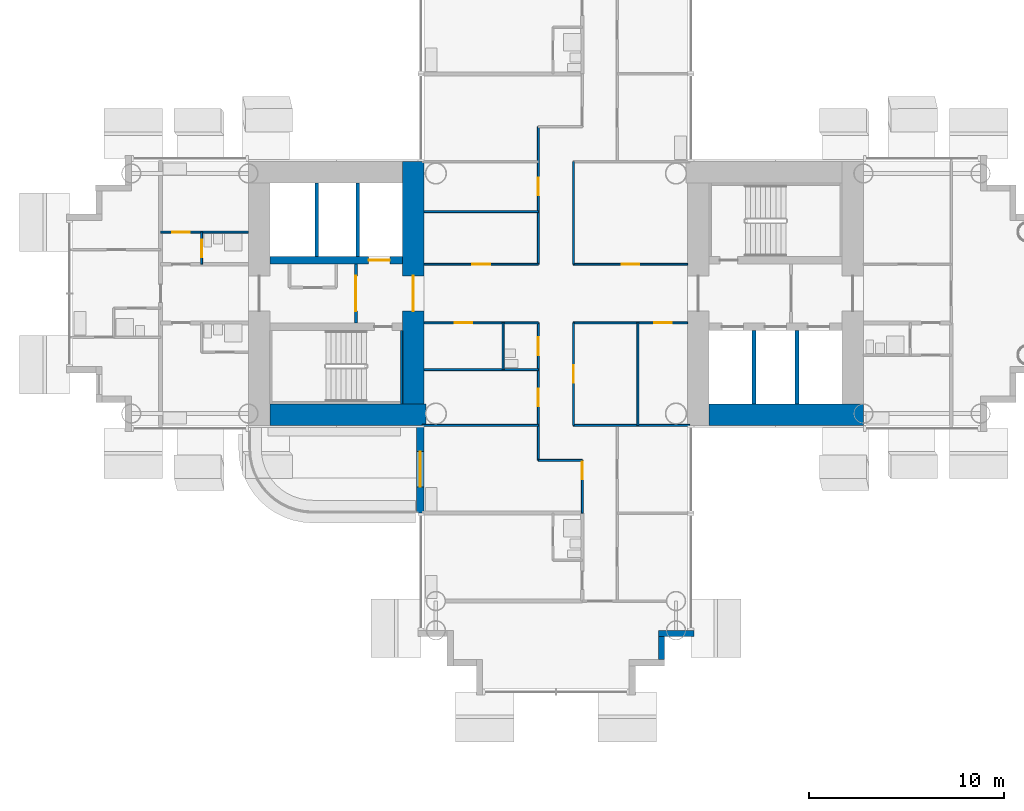
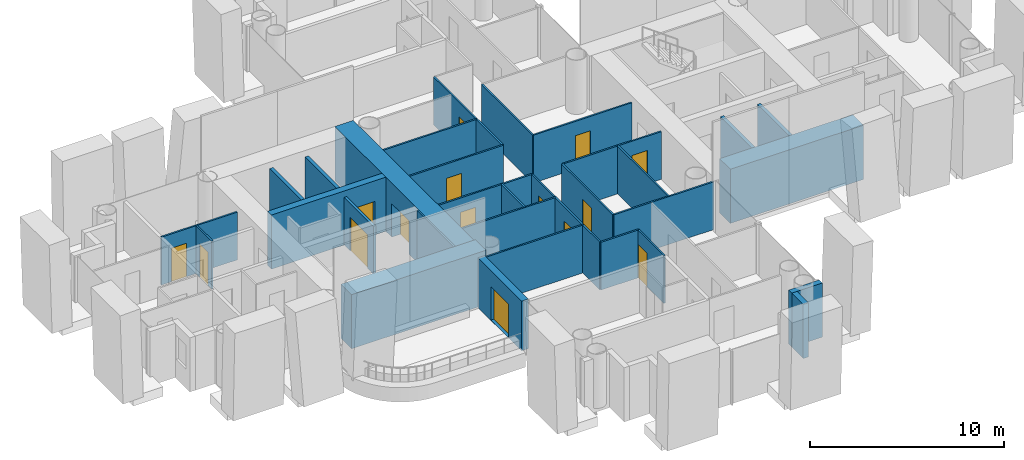
# One storey, part 11 of 25: 31 walls, 15 doors, 15 openings.
"""IFC4 building model written with IfcOpenShell, lengths in metres."""

from ifc_helpers import new_model, si_unit, direction, frame, frame_2d, origin, place, context, subcontext, project, spatial, rectangle, extrude, material, layer, layer_set, type_object, element, fill, save


model = new_model("IFC4")

# Units and contexts
model_context = context("Model", 3, precision=1e-05, world=origin(), true_north=direction((0.0, 1.0)))
body_context = subcontext(model_context, "Body", "Model", "MODEL_VIEW")
ifc_project = project(units=[si_unit("LENGTHUNIT", "METRE"), si_unit("AREAUNIT", "SQUARE_METRE"), si_unit("VOLUMEUNIT", "CUBIC_METRE"), si_unit("PLANEANGLEUNIT", "RADIAN"), si_unit("MASSUNIT", "GRAM", prefix="KILO")], contexts=[model_context])

# Site, building, storey
site_placement = place(None, origin())
site = spatial("IfcSite", under=ifc_project, at=site_placement, CompositionType="ELEMENT")
building_placement = place(site_placement, origin())
building = spatial("IfcBuilding", under=site, at=building_placement, Name="Ipe Terrace Towers", CompositionType="ELEMENT")
storey_placement = place(building_placement, frame((0.0, 0.0, 65.300048828125)))
storey = spatial("IfcBuildingStorey", under=building, at=storey_placement, Name="L17", CompositionType="ELEMENT", Elevation=65.300048828125)

# Wall, opening, door
ifc_material_1 = material(Name="Concrete C40/50 with buff precast cladding", Category="concrete")
ifc_layer_1 = layer(ifc_material_1, 0.39990234375)
ifc_layer_set_1 = layer_set([ifc_layer_1], Name="BALCONY BAY WALL 400")
wall_type_1 = type_object("IfcWallType", Name="BALCONY BAY WALL 400", PredefinedType="STANDARD", material=ifc_layer_set_1)
wall_1_placement = place(storey_placement, frame((-42.949951171875, -6.75, -0.02001953125), z_axis=(0.0, 0.0, 1.0), x_axis=(0.0, -1.0, 0.0)))
wall_1 = element("IfcWall", 1, at=wall_1_placement, inside=storey, type_object=wall_type_1, Name="T1-W-L17-06a wall", PredefinedType="STANDARD", context=body_context, shape_type="SweptSolid", body=[
    extrude(rectangle(XDim=4.5, YDim=0.39990234375, at=frame_2d((2.25, 0.0))), origin(), (0.0, 0.0, 1.0), 3.119873046875),
])
opening_1_placement = place(wall_1_placement, frame((1.35009765625, 0.0, 0.02001953125)))
opening_1 = element("IfcOpeningElement", 2, at=opening_1_placement, cuts=wall_1, Name="Opening T1-D-L17-06", PredefinedType="OPENING", context=body_context, shape_type="SweptSolid", body=[
    extrude(rectangle(XDim=1.800048828125, YDim=2.10009765625, at=frame_2d((0.89990234375, 1.050048828125))), frame((0.0, 0.2099609375, 0.0), z_axis=(0.0, -1.0, 0.0), x_axis=(1.0, 0.0, 0.0)), (0.0, 0.0, 1.0), 0.419921875),
])
ifc_material_2 = material(Name="Aluminium alloy 6063-T6 framed glazed door", Category="aluminium")
door_type_1 = type_object("IfcDoorType", Name="BALCONY DOOR 1800 x 2100 LEFT", OperationType="SINGLE_SWING_LEFT", PredefinedType="DOOR", material=ifc_material_2)
door_1_placement = place(opening_1_placement, origin())
door_1 = element("IfcDoor", 3, at=door_1_placement, inside=storey, type_object=door_type_1, Name="DB1 door", OperationType="SINGLE_SWING_LEFT", OverallHeight=2.10009765625, OverallWidth=1.800048828125, PredefinedType="DOOR", context=body_context, shape_type="SweptSolid", body=[
    extrude(rectangle(XDim=1.800048828125, YDim=2.10009765625, at=frame_2d((0.89990234375, 1.050048828125))), frame((0.0, 0.02490234375, 0.0), z_axis=(0.0, -1.0, 0.0), x_axis=(1.0, 0.0, 0.0)), (0.0, 0.0, 1.0), 0.050048828125),
])
fill(opening_1, door_1)

# Walls
ifc_material_3 = material(Name="Concrete C40/50 with buff precast cladding", Category="concrete")
ifc_layer_2 = layer(ifc_material_3, 0.320068359375)
ifc_layer_set_2 = layer_set([ifc_layer_2], Name="BUFF CLADDING WALL 320")
wall_type_2 = type_object("IfcWallType", Name="BUFF CLADDING WALL 320", PredefinedType="STANDARD", material=ifc_layer_set_2)
wall_2_placement = place(storey_placement, frame((-30.590087890625, -18.75, -0.300048828125), z_axis=(0.0, 0.0, 1.0), x_axis=(0.0, 1.0, 0.0)))
element("IfcWall", 4, at=wall_2_placement, inside=storey, type_object=wall_type_2, Name="T1-W-L17-15a wall", PredefinedType="STANDARD", context=body_context, shape_type="SweptSolid", body=[
    extrude(rectangle(XDim=1.179931640625, YDim=0.320068359375, at=frame_2d((0.58984375, 0.0))), origin(), (0.0, 0.0, 1.0), 3.39990234375),
])
wall_3_placement = place(storey_placement, frame((-30.75, -17.409912109375, -0.300048828125), z_axis=(0.0, 0.0, 1.0), x_axis=(1.0, 0.0, 0.0)))
element("IfcWall", 5, at=wall_3_placement, inside=storey, type_object=wall_type_2, Name="T1-W-L17-16a wall", PredefinedType="STANDARD", context=body_context, shape_type="SweptSolid", body=[
    extrude(rectangle(XDim=1.820068359375, YDim=0.320068359375, at=frame_2d((0.91015625, 0.0))), origin(), (0.0, 0.0, 1.0), 3.39990234375),
])

# Wall, opening, door
ifc_material_4 = material(Name="Gypsum board partition", Category="plasterboard")
ifc_layer_3 = layer(ifc_material_4, 0.10009765625)
ifc_layer_set_3 = layer_set([ifc_layer_3], Name="Gypsum board partition 100 mm")
wall_type_3 = type_object("IfcWallType", Name="Gypsum board partition 100 mm", PredefinedType="PARTITIONING", material=ifc_layer_set_3)
wall_4_placement = place(storey_placement, frame((-54.14990234375, 1.5, 0.0), z_axis=(0.0, 0.0, 1.0), x_axis=(0.0, 1.0, 0.0)))
wall_4 = element("IfcWall", 6, at=wall_4_placement, inside=storey, type_object=wall_type_3, Name="Gypsum board partition T1 L17 W04", PredefinedType="PARTITIONING", context=body_context, shape_type="SweptSolid", body=[
    extrude(rectangle(XDim=1.64990234375, YDim=0.10009765625, at=frame_2d((0.824951171875, 0.0))), origin(), (0.0, 0.0, 1.0), 3.0),
])
opening_2_placement = place(wall_4_placement, frame((0.35009765625, 0.0, 0.0)))
opening_2 = element("IfcOpeningElement", 7, at=opening_2_placement, cuts=wall_4, Name="Opening T1-Z1E-30", PredefinedType="OPENING", context=body_context, shape_type="SweptSolid", body=[
    extrude(rectangle(XDim=0.89990234375, YDim=2.10009765625, at=frame_2d((0.449951171875, 1.050048828125))), frame((0.0, 0.06005859375, 0.0), z_axis=(0.0, -1.0, 0.0), x_axis=(1.0, 0.0, 0.0)), (0.0, 0.0, 1.0), 0.1201171875),
])
ifc_material_5 = material(Name="Timber door leaf", Category="wood")
door_type_2 = type_object("IfcDoorType", Name="Bathroom door 900 x 2100", OperationType="NOTDEFINED", PredefinedType="DOOR", material=ifc_material_5)
door_2_placement = place(opening_2_placement, origin())
door_2 = element("IfcDoor", 8, at=door_2_placement, inside=storey, type_object=door_type_2, Name="Bathroom door T1-Z1E-30", OperationType="SINGLE_SWING_LEFT", OverallHeight=2.10009765625, OverallWidth=0.89990234375, PredefinedType="DOOR", context=body_context, shape_type="SweptSolid", body=[
    extrude(rectangle(XDim=0.89990234375, YDim=2.10009765625, at=frame_2d((0.449951171875, 1.050048828125))), frame((0.0, 0.02490234375, 0.0), z_axis=(0.0, -1.0, 0.0), x_axis=(1.0, 0.0, 0.0)), (0.0, 0.0, 1.0), 0.050048828125),
])
fill(opening_2, door_2)

# Wall
wall_5_placement = place(storey_placement, frame((-38.699951171875, -3.89990234375, 0.0), z_axis=(0.0, 0.0, 1.0), x_axis=(0.0, 1.0, 0.0)))
element("IfcWall", 9, at=wall_5_placement, inside=storey, type_object=wall_type_3, Name="Gypsum board partition T1 L17 W05", PredefinedType="PARTITIONING", context=body_context, shape_type="SweptSolid", body=[
    extrude(rectangle(XDim=2.39990234375, YDim=0.10009765625, at=frame_2d((1.199951171875, 0.0))), origin(), (0.0, 0.0, 1.0), 3.0),
])

# Wall, openings, doors
wall_6_placement = place(storey_placement, frame((-36.89990234375, -8.550048828125, 0.0), z_axis=(0.0, 0.0, 1.0), x_axis=(0.0, 1.0, 0.0)))
wall_6 = element("IfcWall", 10, at=wall_6_placement, inside=storey, type_object=wall_type_3, Name="Gypsum board partition T1 L17 W06", PredefinedType="PARTITIONING", context=body_context, shape_type="SweptSolid", body=[
    extrude(rectangle(XDim=7.050048828125, YDim=0.10009765625, at=frame_2d((3.52490234375, 0.0))), origin(), (0.0, 0.0, 1.0), 3.0),
])
opening_3_placement = place(wall_6_placement, frame((5.39990234375, 0.0, 0.0)))
opening_3 = element("IfcOpeningElement", 11, at=opening_3_placement, cuts=wall_6, Name="Opening T1-Z1E-01", PredefinedType="OPENING", context=body_context, shape_type="SweptSolid", body=[
    extrude(rectangle(XDim=0.89990234375, YDim=2.10009765625, at=frame_2d((0.449951171875, 1.050048828125))), frame((0.0, 0.06005859375, 0.0), z_axis=(0.0, -1.0, 0.0), x_axis=(1.0, 0.0, 0.0)), (0.0, 0.0, 1.0), 0.1201171875),
])
opening_4_placement = place(wall_6_placement, frame((2.77490234375, 0.0, 0.0)))
opening_4 = element("IfcOpeningElement", 12, at=opening_4_placement, cuts=wall_6, Name="Opening T1-Z1E-06", PredefinedType="OPENING", context=body_context, shape_type="SweptSolid", body=[
    extrude(rectangle(XDim=0.89990234375, YDim=2.10009765625, at=frame_2d((0.449951171875, 1.050048828125))), frame((0.0, 0.06005859375, 0.0), z_axis=(0.0, -1.0, 0.0), x_axis=(1.0, 0.0, 0.0)), (0.0, 0.0, 1.0), 0.1201171875),
])
door_3_placement = place(opening_3_placement, origin())
door_3 = element("IfcDoor", 13, at=door_3_placement, inside=storey, type_object=door_type_2, Name="Bathroom door T1-Z1E-01", OperationType="SINGLE_SWING_LEFT", OverallHeight=2.10009765625, OverallWidth=0.89990234375, PredefinedType="DOOR", context=body_context, shape_type="SweptSolid", body=[
    extrude(rectangle(XDim=0.89990234375, YDim=2.10009765625, at=frame_2d((0.449951171875, 1.050048828125))), frame((0.0, 0.02490234375, 0.0), z_axis=(0.0, -1.0, 0.0), x_axis=(1.0, 0.0, 0.0)), (0.0, 0.0, 1.0), 0.050048828125),
])
fill(opening_3, door_3)
ifc_material_6 = material(Name="Timber door leaf", Category="wood")
door_type_3 = type_object("IfcDoorType", Name="Lounge door 900 x 2100", OperationType="NOTDEFINED", PredefinedType="DOOR", material=ifc_material_6)
door_4_placement = place(opening_4_placement, origin())
door_4 = element("IfcDoor", 14, at=door_4_placement, inside=storey, type_object=door_type_3, Name="Lounge door T1-Z1E-06", OperationType="SINGLE_SWING_RIGHT", OverallHeight=2.10009765625, OverallWidth=0.89990234375, PredefinedType="DOOR", context=body_context, shape_type="SweptSolid", body=[
    extrude(rectangle(XDim=0.89990234375, YDim=2.10009765625, at=frame_2d((0.449951171875, 1.050048828125))), frame((0.0, 0.02490234375, 0.0), z_axis=(0.0, -1.0, 0.0), x_axis=(1.0, 0.0, 0.0)), (0.0, 0.0, 1.0), 0.050048828125),
])
fill(opening_4, door_4)

# Wall, opening, door
wall_7_placement = place(storey_placement, frame((-36.89990234375, 1.5, 0.0), z_axis=(0.0, 0.0, 1.0), x_axis=(0.0, 1.0, 0.0)))
wall_7 = element("IfcWall", 15, at=wall_7_placement, inside=storey, type_object=wall_type_3, Name="Gypsum board partition T1 L17 W07", PredefinedType="PARTITIONING", context=body_context, shape_type="SweptSolid", body=[
    extrude(rectangle(XDim=7.050048828125, YDim=0.10009765625, at=frame_2d((3.52490234375, 0.0))), origin(), (0.0, 0.0, 1.0), 3.0),
])
opening_5_placement = place(wall_7_placement, frame((3.52490234375, 0.0, 0.0)))
opening_5 = element("IfcOpeningElement", 16, at=opening_5_placement, cuts=wall_7, Name="Opening T1-Z1E-04", PredefinedType="OPENING", context=body_context, shape_type="SweptSolid", body=[
    extrude(rectangle(XDim=0.89990234375, YDim=2.10009765625, at=frame_2d((0.449951171875, 1.050048828125))), frame((0.0, 0.06005859375, 0.0), z_axis=(0.0, -1.0, 0.0), x_axis=(1.0, 0.0, 0.0)), (0.0, 0.0, 1.0), 0.1201171875),
])
door_5_placement = place(opening_5_placement, origin())
door_5 = element("IfcDoor", 17, at=door_5_placement, inside=storey, type_object=door_type_3, Name="Lounge door T1-Z1E-04", OperationType="SINGLE_SWING_LEFT", OverallHeight=2.10009765625, OverallWidth=0.89990234375, PredefinedType="DOOR", context=body_context, shape_type="SweptSolid", body=[
    extrude(rectangle(XDim=0.89990234375, YDim=2.10009765625, at=frame_2d((0.449951171875, 1.050048828125))), frame((0.0, 0.02490234375, 0.0), z_axis=(0.0, -1.0, 0.0), x_axis=(1.0, 0.0, 0.0)), (0.0, 0.0, 1.0), 0.050048828125),
])
fill(opening_5, door_5)

wall_8_placement = place(storey_placement, frame((-35.10009765625, -6.75, 0.0), z_axis=(0.0, 0.0, 1.0), x_axis=(0.0, 1.0, 0.0)))
wall_8 = element("IfcWall", 18, at=wall_8_placement, inside=storey, type_object=wall_type_3, Name="Gypsum board partition T1 L17 W10", PredefinedType="PARTITIONING", context=body_context, shape_type="SweptSolid", body=[
    extrude(rectangle(XDim=5.25, YDim=0.10009765625, at=frame_2d((2.625, 0.0))), origin(), (0.0, 0.0, 1.0), 3.0),
])
opening_6_placement = place(wall_8_placement, frame((2.175048828125, 0.0, 0.0)))
opening_6 = element("IfcOpeningElement", 19, at=opening_6_placement, cuts=wall_8, Name="Opening T1-Z1E-07", PredefinedType="OPENING", context=body_context, shape_type="SweptSolid", body=[
    extrude(rectangle(XDim=0.89990234375, YDim=2.10009765625, at=frame_2d((0.449951171875, 1.050048828125))), frame((0.0, 0.06005859375, 0.0), z_axis=(0.0, -1.0, 0.0), x_axis=(1.0, 0.0, 0.0)), (0.0, 0.0, 1.0), 0.1201171875),
])
door_6_placement = place(opening_6_placement, origin())
door_6 = element("IfcDoor", 20, at=door_6_placement, inside=storey, type_object=door_type_3, Name="Lounge door T1-Z1E-07", OperationType="SINGLE_SWING_RIGHT", OverallHeight=2.10009765625, OverallWidth=0.89990234375, PredefinedType="DOOR", context=body_context, shape_type="SweptSolid", body=[
    extrude(rectangle(XDim=0.89990234375, YDim=2.10009765625, at=frame_2d((0.449951171875, 1.050048828125))), frame((0.0, 0.02490234375, 0.0), z_axis=(0.0, -1.0, 0.0), x_axis=(1.0, 0.0, 0.0)), (0.0, 0.0, 1.0), 0.050048828125),
])
fill(opening_6, door_6)

# Wall
wall_9_placement = place(storey_placement, frame((-35.10009765625, 1.5, 0.0), z_axis=(0.0, 0.0, 1.0), x_axis=(0.0, 1.0, 0.0)))
element("IfcWall", 21, at=wall_9_placement, inside=storey, type_object=wall_type_3, Name="Gypsum board partition T1 L17 W11", PredefinedType="PARTITIONING", context=body_context, shape_type="SweptSolid", body=[
    extrude(rectangle(XDim=5.25, YDim=0.10009765625, at=frame_2d((2.625, 0.0))), origin(), (0.0, 0.0, 1.0), 3.0),
])

# Wall, opening, door
wall_10_placement = place(storey_placement, frame((-34.64990234375, -11.25, 0.0), z_axis=(0.0, 0.0, 1.0), x_axis=(0.0, 1.0, 0.0)))
wall_10 = element("IfcWall", 22, at=wall_10_placement, inside=storey, type_object=wall_type_3, Name="Gypsum board partition T1 L17 W12", PredefinedType="PARTITIONING", context=body_context, shape_type="SweptSolid", body=[
    extrude(rectangle(XDim=2.699951171875, YDim=0.10009765625, at=frame_2d((1.35009765625, 0.0))), origin(), (0.0, 0.0, 1.0), 3.0),
])
opening_7_placement = place(wall_10_placement, frame((1.72998046875, 0.0, 0.0)))
opening_7 = element("IfcOpeningElement", 23, at=opening_7_placement, cuts=wall_10, Name="Opening T1-Z1E-17", PredefinedType="OPENING", context=body_context, shape_type="SweptSolid", body=[
    extrude(rectangle(XDim=0.89990234375, YDim=2.10009765625, at=frame_2d((0.449951171875, 1.050048828125))), frame((0.0, 0.06005859375, 0.0), z_axis=(0.0, -1.0, 0.0), x_axis=(1.0, 0.0, 0.0)), (0.0, 0.0, 1.0), 0.1201171875),
])
door_7_placement = place(opening_7_placement, origin())
door_7 = element("IfcDoor", 24, at=door_7_placement, inside=storey, type_object=door_type_3, Name="Lounge door T1-Z1E-17", OperationType="SINGLE_SWING_LEFT", OverallHeight=2.10009765625, OverallWidth=0.89990234375, PredefinedType="DOOR", context=body_context, shape_type="SweptSolid", body=[
    extrude(rectangle(XDim=0.89990234375, YDim=2.10009765625, at=frame_2d((0.449951171875, 1.050048828125))), frame((0.0, 0.02490234375, 0.0), z_axis=(0.0, -1.0, 0.0), x_axis=(1.0, 0.0, 0.0)), (0.0, 0.0, 1.0), 0.050048828125),
])
fill(opening_7, door_7)

# Walls
wall_11_placement = place(storey_placement, frame((-31.800048828125, -6.75, 0.0), z_axis=(0.0, 0.0, 1.0), x_axis=(0.0, 1.0, 0.0)))
element("IfcWall", 25, at=wall_11_placement, inside=storey, type_object=wall_type_3, Name="Gypsum board partition T1 L17 W18", PredefinedType="PARTITIONING", context=body_context, shape_type="SweptSolid", body=[
    extrude(rectangle(XDim=5.25, YDim=0.10009765625, at=frame_2d((2.625, 0.0))), origin(), (0.0, 0.0, 1.0), 3.0),
])
wall_12_placement = place(storey_placement, frame((-36.89990234375, -8.550048828125, 0.0), z_axis=(0.0, 0.0, 1.0), x_axis=(1.0, 0.0, 0.0)))
element("IfcWall", 26, at=wall_12_placement, inside=storey, type_object=wall_type_3, Name="Gypsum board partition T1 L17 W27", PredefinedType="PARTITIONING", context=body_context, shape_type="SweptSolid", body=[
    extrude(rectangle(XDim=2.25, YDim=0.10009765625, at=frame_2d((1.125, 0.0))), origin(), (0.0, 0.0, 1.0), 3.0),
])
for number, where, z_axis, x_axis, name in (
    (27, (-42.85009765625, -6.75, 0.0), (0.0, 0.0, 1.0), (1.0, 0.0, 0.0), "Gypsum board partition T1 L17 W28"),
    (28, (-35.10009765625, -6.75, 0.0), (0.0, 0.0, 1.0), (1.0, 0.0, 0.0), "Gypsum board partition T1 L17 W29"),
):
    element("IfcWall", number, at=place(storey_placement, frame(where, z_axis=z_axis, x_axis=x_axis)), inside=storey, type_object=wall_type_3, Name=name, PredefinedType="PARTITIONING", context=body_context, shape_type="SweptSolid", body=[
        extrude(rectangle(XDim=5.9501953125, YDim=0.10009765625, at=frame_2d((2.97509765625, 0.0))), origin(), (0.0, 0.0, 1.0), 3.0),
    ])
wall_13_placement = place(storey_placement, frame((-42.75, -3.89990234375, 0.0), z_axis=(0.0, 0.0, 1.0), x_axis=(1.0, 0.0, 0.0)))
element("IfcWall", 29, at=wall_13_placement, inside=storey, type_object=wall_type_3, Name="Gypsum board partition T1 L17 W30", PredefinedType="PARTITIONING", context=body_context, shape_type="SweptSolid", body=[
    extrude(rectangle(XDim=5.85009765625, YDim=0.10009765625, at=frame_2d((2.925048828125, 0.0))), origin(), (0.0, 0.0, 1.0), 3.0),
])

# Wall, opening, door
wall_14_placement = place(storey_placement, frame((-42.75, -1.5, 0.0), z_axis=(0.0, 0.0, 1.0), x_axis=(1.0, 0.0, 0.0)))
wall_14 = element("IfcWall", 30, at=wall_14_placement, inside=storey, type_object=wall_type_3, Name="Gypsum board partition T1 L17 W34", PredefinedType="PARTITIONING", context=body_context, shape_type="SweptSolid", body=[
    extrude(rectangle(XDim=5.85009765625, YDim=0.10009765625, at=frame_2d((2.925048828125, 0.0))), origin(), (0.0, 0.0, 1.0), 3.0),
])
opening_8_placement = place(wall_14_placement, frame((1.574951171875, 0.0, 0.0)))
opening_8 = element("IfcOpeningElement", 31, at=opening_8_placement, cuts=wall_14, Name="Opening T1-Z1E-05", PredefinedType="OPENING", context=body_context, shape_type="SweptSolid", body=[
    extrude(rectangle(XDim=0.89990234375, YDim=2.10009765625, at=frame_2d((0.449951171875, 1.050048828125))), frame((0.0, 0.06005859375, 0.0), z_axis=(0.0, -1.0, 0.0), x_axis=(1.0, 0.0, 0.0)), (0.0, 0.0, 1.0), 0.1201171875),
])
door_8_placement = place(opening_8_placement, origin())
door_8 = element("IfcDoor", 32, at=door_8_placement, inside=storey, type_object=door_type_3, Name="Lounge door T1-Z1E-05", OperationType="SINGLE_SWING_LEFT", OverallHeight=2.10009765625, OverallWidth=0.89990234375, PredefinedType="DOOR", context=body_context, shape_type="SweptSolid", body=[
    extrude(rectangle(XDim=0.89990234375, YDim=2.10009765625, at=frame_2d((0.449951171875, 1.050048828125))), frame((0.0, 0.02490234375, 0.0), z_axis=(0.0, -1.0, 0.0), x_axis=(1.0, 0.0, 0.0)), (0.0, 0.0, 1.0), 0.050048828125),
])
fill(opening_8, door_8)

wall_15_placement = place(storey_placement, frame((-35.10009765625, -1.5, 0.0), z_axis=(0.0, 0.0, 1.0), x_axis=(1.0, 0.0, 0.0)))
wall_15 = element("IfcWall", 33, at=wall_15_placement, inside=storey, type_object=wall_type_3, Name="Gypsum board partition T1 L17 W35", PredefinedType="PARTITIONING", context=body_context, shape_type="SweptSolid", body=[
    extrude(rectangle(XDim=5.85009765625, YDim=0.10009765625, at=frame_2d((2.925048828125, 0.0))), origin(), (0.0, 0.0, 1.0), 3.0),
])
opening_9_placement = place(wall_15_placement, frame((4.125, 0.0, 0.0)))
opening_9 = element("IfcOpeningElement", 34, at=opening_9_placement, cuts=wall_15, Name="Opening T1-Z1E-08", PredefinedType="OPENING", context=body_context, shape_type="SweptSolid", body=[
    extrude(rectangle(XDim=0.89990234375, YDim=2.10009765625, at=frame_2d((0.449951171875, 1.050048828125))), frame((0.0, 0.06005859375, 0.0), z_axis=(0.0, -1.0, 0.0), x_axis=(1.0, 0.0, 0.0)), (0.0, 0.0, 1.0), 0.1201171875),
])
door_9_placement = place(opening_9_placement, origin())
door_9 = element("IfcDoor", 35, at=door_9_placement, inside=storey, type_object=door_type_3, Name="Lounge door T1-Z1E-08", OperationType="SINGLE_SWING_RIGHT", OverallHeight=2.10009765625, OverallWidth=0.89990234375, PredefinedType="DOOR", context=body_context, shape_type="SweptSolid", body=[
    extrude(rectangle(XDim=0.89990234375, YDim=2.10009765625, at=frame_2d((0.449951171875, 1.050048828125))), frame((0.0, 0.02490234375, 0.0), z_axis=(0.0, -1.0, 0.0), x_axis=(1.0, 0.0, 0.0)), (0.0, 0.0, 1.0), 0.050048828125),
])
fill(opening_9, door_9)

wall_16_placement = place(storey_placement, frame((-42.75, 1.5, 0.0), z_axis=(0.0, 0.0, 1.0), x_axis=(1.0, 0.0, 0.0)))
wall_16 = element("IfcWall", 36, at=wall_16_placement, inside=storey, type_object=wall_type_3, Name="Gypsum board partition T1 L17 W39", PredefinedType="PARTITIONING", context=body_context, shape_type="SweptSolid", body=[
    extrude(rectangle(XDim=5.85009765625, YDim=0.10009765625, at=frame_2d((2.925048828125, 0.0))), origin(), (0.0, 0.0, 1.0), 3.0),
])
opening_10_placement = place(wall_16_placement, frame((2.47509765625, 0.0, 0.0)))
opening_10 = element("IfcOpeningElement", 37, at=opening_10_placement, cuts=wall_16, Name="Opening T1-Z1E-03", PredefinedType="OPENING", context=body_context, shape_type="SweptSolid", body=[
    extrude(rectangle(XDim=0.89990234375, YDim=2.10009765625, at=frame_2d((0.449951171875, 1.050048828125))), frame((0.0, 0.06005859375, 0.0), z_axis=(0.0, -1.0, 0.0), x_axis=(1.0, 0.0, 0.0)), (0.0, 0.0, 1.0), 0.1201171875),
])
door_10_placement = place(opening_10_placement, origin())
door_10 = element("IfcDoor", 38, at=door_10_placement, inside=storey, type_object=door_type_3, Name="Lounge door T1-Z1E-03", OperationType="SINGLE_SWING_RIGHT", OverallHeight=2.10009765625, OverallWidth=0.89990234375, PredefinedType="DOOR", context=body_context, shape_type="SweptSolid", body=[
    extrude(rectangle(XDim=0.89990234375, YDim=2.10009765625, at=frame_2d((0.449951171875, 1.050048828125))), frame((0.0, 0.02490234375, 0.0), z_axis=(0.0, -1.0, 0.0), x_axis=(1.0, 0.0, 0.0)), (0.0, 0.0, 1.0), 0.050048828125),
])
fill(opening_10, door_10)

wall_17_placement = place(storey_placement, frame((-35.10009765625, 1.5, 0.0), z_axis=(0.0, 0.0, 1.0), x_axis=(1.0, 0.0, 0.0)))
wall_17 = element("IfcWall", 39, at=wall_17_placement, inside=storey, type_object=wall_type_3, Name="Gypsum board partition T1 L17 W40", PredefinedType="PARTITIONING", context=body_context, shape_type="SweptSolid", body=[
    extrude(rectangle(XDim=5.85009765625, YDim=0.10009765625, at=frame_2d((2.925048828125, 0.0))), origin(), (0.0, 0.0, 1.0), 3.0),
])
opening_11_placement = place(wall_17_placement, frame((2.47509765625, 0.0, 0.0)))
opening_11 = element("IfcOpeningElement", 40, at=opening_11_placement, cuts=wall_17, Name="Opening T1-Z1E-02", PredefinedType="OPENING", context=body_context, shape_type="SweptSolid", body=[
    extrude(rectangle(XDim=0.89990234375, YDim=2.10009765625, at=frame_2d((0.449951171875, 1.050048828125))), frame((0.0, 0.06005859375, 0.0), z_axis=(0.0, -1.0, 0.0), x_axis=(1.0, 0.0, 0.0)), (0.0, 0.0, 1.0), 0.1201171875),
])
door_11_placement = place(opening_11_placement, origin())
door_11 = element("IfcDoor", 41, at=door_11_placement, inside=storey, type_object=door_type_3, Name="Lounge door T1-Z1E-02", OperationType="SINGLE_SWING_LEFT", OverallHeight=2.10009765625, OverallWidth=0.89990234375, PredefinedType="DOOR", context=body_context, shape_type="SweptSolid", body=[
    extrude(rectangle(XDim=0.89990234375, YDim=2.10009765625, at=frame_2d((0.449951171875, 1.050048828125))), frame((0.0, 0.02490234375, 0.0), z_axis=(0.0, -1.0, 0.0), x_axis=(1.0, 0.0, 0.0)), (0.0, 0.0, 1.0), 0.050048828125),
])
fill(opening_11, door_11)

wall_18_placement = place(storey_placement, frame((-56.25, 3.14990234375, 0.0), z_axis=(0.0, 0.0, 1.0), x_axis=(1.0, 0.0, 0.0)))
wall_18 = element("IfcWall", 42, at=wall_18_placement, inside=storey, type_object=wall_type_3, Name="Gypsum board partition T1 L17 W44", PredefinedType="PARTITIONING", context=body_context, shape_type="SweptSolid", body=[
    extrude(rectangle(XDim=4.5, YDim=0.10009765625, at=frame_2d((2.25, 0.0))), origin(), (0.0, 0.0, 1.0), 3.0),
])
opening_12_placement = place(wall_18_placement, frame((0.60009765625, 0.0, 0.0)))
opening_12 = element("IfcOpeningElement", 43, at=opening_12_placement, cuts=wall_18, Name="Opening T1-Z1E-29", PredefinedType="OPENING", context=body_context, shape_type="SweptSolid", body=[
    extrude(rectangle(XDim=0.89990234375, YDim=2.10009765625, at=frame_2d((0.449951171875, 1.050048828125))), frame((0.0, 0.06005859375, 0.0), z_axis=(0.0, -1.0, 0.0), x_axis=(1.0, 0.0, 0.0)), (0.0, 0.0, 1.0), 0.1201171875),
])
ifc_material_7 = material(Name="Timber door leaf", Category="wood")
door_type_4 = type_object("IfcDoorType", Name="Bedroom door 900 x 2100", OperationType="NOTDEFINED", PredefinedType="DOOR", material=ifc_material_7)
door_12_placement = place(opening_12_placement, origin())
door_12 = element("IfcDoor", 44, at=door_12_placement, inside=storey, type_object=door_type_4, Name="Bedroom door T1-Z1E-29", OperationType="SINGLE_SWING_RIGHT", OverallHeight=2.10009765625, OverallWidth=0.89990234375, PredefinedType="DOOR", context=body_context, shape_type="SweptSolid", body=[
    extrude(rectangle(XDim=0.89990234375, YDim=2.10009765625, at=frame_2d((0.449951171875, 1.050048828125))), frame((0.0, 0.02490234375, 0.0), z_axis=(0.0, -1.0, 0.0), x_axis=(1.0, 0.0, 0.0)), (0.0, 0.0, 1.0), 0.050048828125),
])
fill(opening_12, door_12)

# Wall
wall_19_placement = place(storey_placement, frame((-42.75, 4.199951171875, 0.0), z_axis=(0.0, 0.0, 1.0), x_axis=(1.0, 0.0, 0.0)))
element("IfcWall", 45, at=wall_19_placement, inside=storey, type_object=wall_type_3, Name="Gypsum board partition T1 L17 W45", PredefinedType="PARTITIONING", context=body_context, shape_type="SweptSolid", body=[
    extrude(rectangle(XDim=5.85009765625, YDim=0.10009765625, at=frame_2d((2.925048828125, 0.0))), origin(), (0.0, 0.0, 1.0), 3.0),
])

# Wall, opening, door
ifc_material_8 = material(Name="Gypsum board partition", Category="plasterboard")
ifc_layer_4 = layer(ifc_material_8, 0.14990234375)
ifc_layer_set_4 = layer_set([ifc_layer_4], Name="Gypsum board partition 150 mm")
wall_type_4 = type_object("IfcWallType", Name="Gypsum board partition 150 mm", PredefinedType="PARTITIONING", material=ifc_layer_set_4)
wall_20_placement = place(storey_placement, frame((-46.25, 1.5, 0.0), z_axis=(0.0, 0.0, 1.0), x_axis=(0.0, -1.0, 0.0)))
wall_20 = element("IfcWall", 46, at=wall_20_placement, inside=storey, type_object=wall_type_4, Name="Gypsum board partition T1 L17 t1c2-lobby-wall", PredefinedType="PARTITIONING", context=body_context, shape_type="SweptSolid", body=[
    extrude(rectangle(XDim=3.0, YDim=0.14990234375, at=frame_2d((1.5, 0.0))), origin(), (0.0, 0.0, 1.0), 3.0),
])
opening_13_placement = place(wall_20_placement, frame((0.60009765625, 0.0, 0.0)))
opening_13 = element("IfcOpeningElement", 47, at=opening_13_placement, cuts=wall_20, Name="Opening T1C2-VD", PredefinedType="OPENING", context=body_context, shape_type="SweptSolid", body=[
    extrude(rectangle(XDim=1.800048828125, YDim=2.10009765625, at=frame_2d((0.89990234375, 1.050048828125))), frame((0.0, 0.0849609375, 0.0), z_axis=(0.0, -1.0, 0.0), x_axis=(1.0, 0.0, 0.0)), (0.0, 0.0, 1.0), 0.169921875),
])
ifc_material_9 = material(Name="Fire-rated timber door leaf", Category="wood")
door_type_5 = type_object("IfcDoorType", Name="Lobby door 1800 x 2100 FD60", OperationType="NOTDEFINED", PredefinedType="DOOR", material=ifc_material_9)
door_13_placement = place(opening_13_placement, origin())
door_13 = element("IfcDoor", 48, at=door_13_placement, inside=storey, type_object=door_type_5, Name="Lobby door T1C2-VD", OperationType="SINGLE_SWING_LEFT", OverallHeight=2.10009765625, OverallWidth=1.800048828125, PredefinedType="DOOR", context=body_context, shape_type="SweptSolid", body=[
    extrude(rectangle(XDim=1.800048828125, YDim=2.10009765625, at=frame_2d((0.89990234375, 1.050048828125))), frame((0.0, 0.02490234375, 0.0), z_axis=(0.0, -1.0, 0.0), x_axis=(1.0, 0.0, 0.0)), (0.0, 0.0, 1.0), 0.050048828125),
])
fill(opening_13, door_13)

# Walls
ifc_material_10 = material(Name="Gypsum board party wall", Category="plasterboard")
ifc_layer_5 = layer(ifc_material_10, 0.199951171875)
ifc_layer_set_5 = layer_set([ifc_layer_5], Name="Gypsum board party wall 200 mm")
wall_type_5 = type_object("IfcWallType", Name="Gypsum board party wall 200 mm", PredefinedType="SOLIDWALL", material=ifc_layer_set_5)
for number, where, z_axis, x_axis, name in (
    (49, (-25.85009765625, -5.64990234375, 0.0), (0.0, 0.0, 1.0), (0.0, 1.0, 0.0), "Gypsum board party wall T1 L17 t1c1-shaft-div1"),
    (50, (-23.64990234375, -5.64990234375, 0.0), (0.0, 0.0, 1.0), (0.0, 1.0, 0.0), "Gypsum board party wall T1 L17 t1c1-shaft-div2"),
    (51, (-46.14990234375, 5.64990234375, 0.0), (0.0, 0.0, 1.0), (0.0, -1.0, 0.0), "Gypsum board party wall T1 L17 t1c2-shaft-div1"),
    (52, (-48.25, 5.64990234375, 0.0), (0.0, 0.0, 1.0), (0.0, -1.0, 0.0), "Gypsum board party wall T1 L17 t1c2-shaft-div2"),
):
    element("IfcWall", number, at=place(storey_placement, frame(where, z_axis=z_axis, x_axis=x_axis)), inside=storey, type_object=wall_type_5, Name=name, PredefinedType="SOLIDWALL", context=body_context, shape_type="SweptSolid", body=[
        extrude(rectangle(XDim=3.75, YDim=0.199951171875, at=frame_2d((1.875, 0.0))), origin(), (0.0, 0.0, 1.0), 3.0),
    ])
ifc_material_11 = material(Name="Concrete C60/75", Category="concrete")
ifc_layer_6 = layer(ifc_material_11, 0.10009765625)
ifc_layer_set_6 = layer_set([ifc_layer_6], Name="RW100 CORE INFILL WALL 100 C60-75")
wall_type_6 = type_object("IfcWallType", Name="RW100 CORE INFILL WALL 100 C60-75", PredefinedType="SHEAR", material=ifc_layer_set_6)
wall_21_placement = place(storey_placement, frame((-43.89990234375, -1.89990234375, 0.0), z_axis=(0.0, 0.0, 1.0), x_axis=(0.0, -1.0, 0.0)))
element("IfcWall", 53, at=wall_21_placement, inside=storey, type_object=wall_type_6, Name="Core infill wall T1-C2-near", PredefinedType="SHEAR", context=body_context, shape_type="SweptSolid", body=[
    extrude(rectangle(XDim=3.75, YDim=0.10009765625, at=frame_2d((1.875, 0.0))), origin(), (0.0, 0.0, 1.0), 3.39990234375),
])
ifc_material_12 = material(Name="Concrete C60/75", Category="concrete")
ifc_layer_7 = layer(ifc_material_12, 1.10009765625)
ifc_layer_set_7 = layer_set([ifc_layer_7], Name="RW1100 CORE WALL 1100 C60-75")
wall_type_7 = type_object("IfcWallType", Name="RW1100 CORE WALL 1100 C60-75", PredefinedType="SHEAR", material=ifc_layer_set_7)
wall_22_placement = place(storey_placement, frame((-28.14990234375, -6.199951171875, 0.0), z_axis=(0.0, 0.0, 1.0), x_axis=(1.0, 0.0, 0.0)))
element("IfcWall", 54, at=wall_22_placement, inside=storey, type_object=wall_type_7, Name="Core wall T1-C1-Z1-W01", PredefinedType="SHEAR", context=body_context, shape_type="SweptSolid", body=[
    extrude(rectangle(XDim=7.89990234375, YDim=1.10009765625, at=frame_2d((3.949951171875, 0.0))), origin(), (0.0, 0.0, 1.0), 3.39990234375),
])
wall_23_placement = place(storey_placement, frame((-50.64990234375, -6.199951171875, 0.0), z_axis=(0.0, 0.0, 1.0), x_axis=(1.0, 0.0, 0.0)))
element("IfcWall", 55, at=wall_23_placement, inside=storey, type_object=wall_type_7, Name="Core wall T1-C2-Z1-W01", PredefinedType="SHEAR", context=body_context, shape_type="SweptSolid", body=[
    extrude(rectangle(XDim=7.997802734375, YDim=1.10009765625, at=frame_2d((3.9990234375, 0.0))), origin(), (0.0, 0.0, 1.0), 3.39990234375),
])

# Wall, opening, door
wall_24_placement = place(storey_placement, frame((-43.300048828125, -5.64990234375, 0.0), z_axis=(0.0, 0.0, 1.0), x_axis=(0.0, 1.0, 0.0)))
wall_24 = element("IfcWall", 56, at=wall_24_placement, inside=storey, type_object=wall_type_7, Name="Core wall T1-C2-Z1-W02", PredefinedType="SHEAR", context=body_context, shape_type="SweptSolid", body=[
    extrude(rectangle(XDim=12.39990234375, YDim=1.10009765625, at=frame_2d((6.199951171875, 0.0))), origin(), (0.0, 0.0, 1.0), 3.39990234375),
])
opening_14_placement = place(wall_24_placement, frame((4.75, 0.0, 0.0)))
opening_14 = element("IfcOpeningElement", 57, at=opening_14_placement, cuts=wall_24, Name="Opening T1C2-ND", PredefinedType="OPENING", context=body_context, shape_type="SweptSolid", body=[
    extrude(rectangle(XDim=1.800048828125, YDim=2.10009765625, at=frame_2d((0.89990234375, 1.050048828125))), frame((0.0, 0.56005859375, 0.0), z_axis=(0.0, -1.0, 0.0), x_axis=(1.0, 0.0, 0.0)), (0.0, 0.0, 1.0), 1.1201171875),
])
ifc_material_13 = material(Name="Fire-rated timber door leaf", Category="wood")
door_type_6 = type_object("IfcDoorType", Name="Fire door 1800 x 2100 FD30S", OperationType="NOTDEFINED", PredefinedType="DOOR", material=ifc_material_13)
door_14_placement = place(opening_14_placement, origin())
door_14 = element("IfcDoor", 58, at=door_14_placement, inside=storey, type_object=door_type_6, Name="Fire door T1C2-ND", OperationType="SINGLE_SWING_LEFT", OverallHeight=2.10009765625, OverallWidth=1.800048828125, PredefinedType="DOOR", context=body_context, shape_type="SweptSolid", body=[
    extrude(rectangle(XDim=1.800048828125, YDim=2.10009765625, at=frame_2d((0.89990234375, 1.050048828125))), frame((0.0, 0.02490234375, 0.0), z_axis=(0.0, -1.0, 0.0), x_axis=(1.0, 0.0, 0.0)), (0.0, 0.0, 1.0), 0.050048828125),
])
fill(opening_14, door_14)

ifc_material_14 = material(Name="Concrete C60/75", Category="concrete")
ifc_layer_8 = layer(ifc_material_14, 0.39990234375)
ifc_layer_set_8 = layer_set([ifc_layer_8], Name="RW400 CORE SPINE WALL 400 C60-75")
wall_type_8 = type_object("IfcWallType", Name="RW400 CORE SPINE WALL 400 C60-75", PredefinedType="SHEAR", material=ifc_layer_set_8)
wall_25_placement = place(storey_placement, frame((-50.64990234375, 1.699951171875, 0.0), z_axis=(0.0, 0.0, 1.0), x_axis=(1.0, 0.0, 0.0)))
wall_25 = element("IfcWall", 59, at=wall_25_placement, inside=storey, type_object=wall_type_8, Name="Core spine wall T1-C2-Z1-SW2", PredefinedType="SHEAR", context=body_context, shape_type="SweptSolid", body=[
    extrude(rectangle(XDim=6.7998046875, YDim=0.39990234375, at=frame_2d((3.39990234375, 0.0))), origin(), (0.0, 0.0, 1.0), 3.39990234375),
])
opening_15_placement = place(wall_25_placement, frame((5.050048828125, 0.0, 0.0)))
opening_15 = element("IfcOpeningElement", 60, at=opening_15_placement, cuts=wall_25, Name="Opening T1C2-LD1", PredefinedType="OPENING", context=body_context, shape_type="SweptSolid", body=[
    extrude(rectangle(XDim=1.10009765625, YDim=2.10009765625, at=frame_2d((0.550048828125, 1.050048828125))), frame((0.0, 0.2099609375, 0.0), z_axis=(0.0, -1.0, 0.0), x_axis=(1.0, 0.0, 0.0)), (0.0, 0.0, 1.0), 0.419921875),
])
ifc_material_15 = material(Name="Fire-rated timber door leaf", Category="wood")
door_type_7 = type_object("IfcDoorType", Name="Sliding door 1100 x 2100 FD60", OperationType="SLIDING_TO_LEFT", PredefinedType="DOOR", material=ifc_material_15)
door_15_placement = place(opening_15_placement, origin())
door_15 = element("IfcDoor", 61, at=door_15_placement, inside=storey, type_object=door_type_7, Name="Sliding door T1C2-LD1", OperationType="SLIDING_TO_LEFT", OverallHeight=2.10009765625, OverallWidth=1.10009765625, PredefinedType="DOOR", context=body_context, shape_type="SweptSolid", body=[
    extrude(rectangle(XDim=1.10009765625, YDim=2.10009765625, at=frame_2d((0.550048828125, 1.050048828125))), frame((0.0, 0.02490234375, 0.0), z_axis=(0.0, -1.0, 0.0), x_axis=(1.0, 0.0, 0.0)), (0.0, 0.0, 1.0), 0.050048828125),
])
fill(opening_15, door_15)

save(model, "model.ifc")
